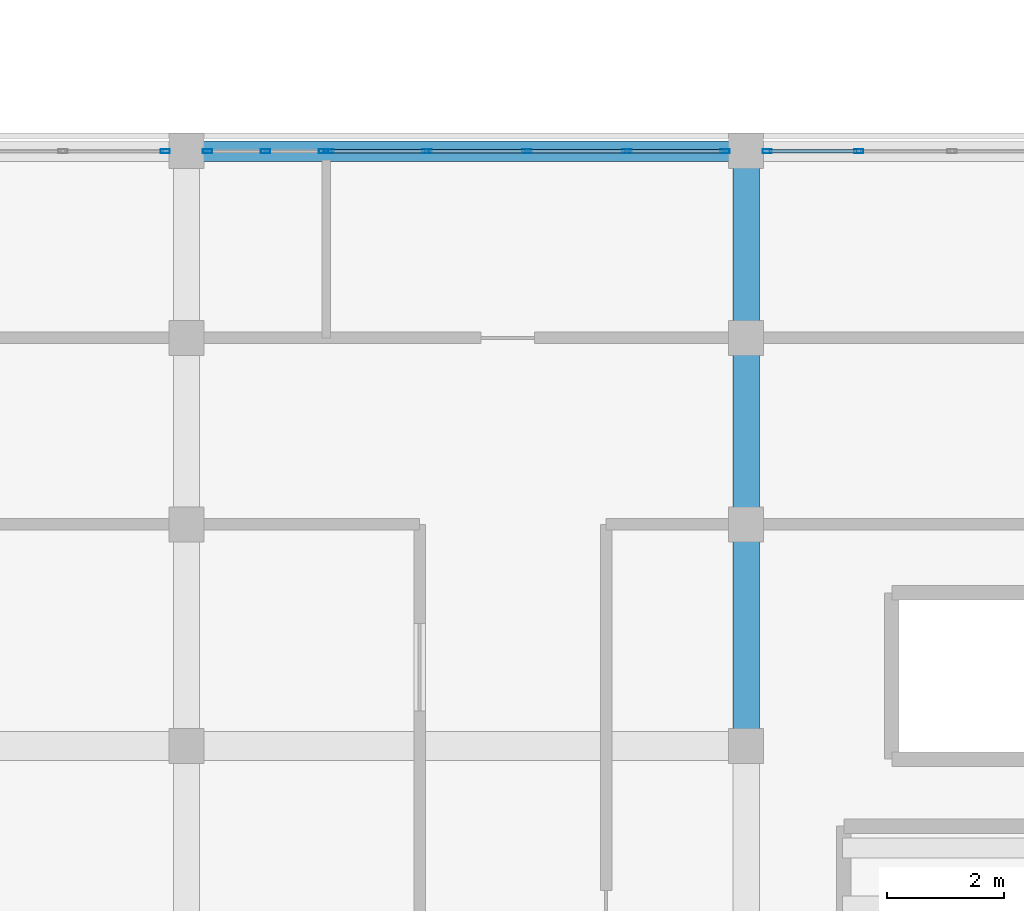
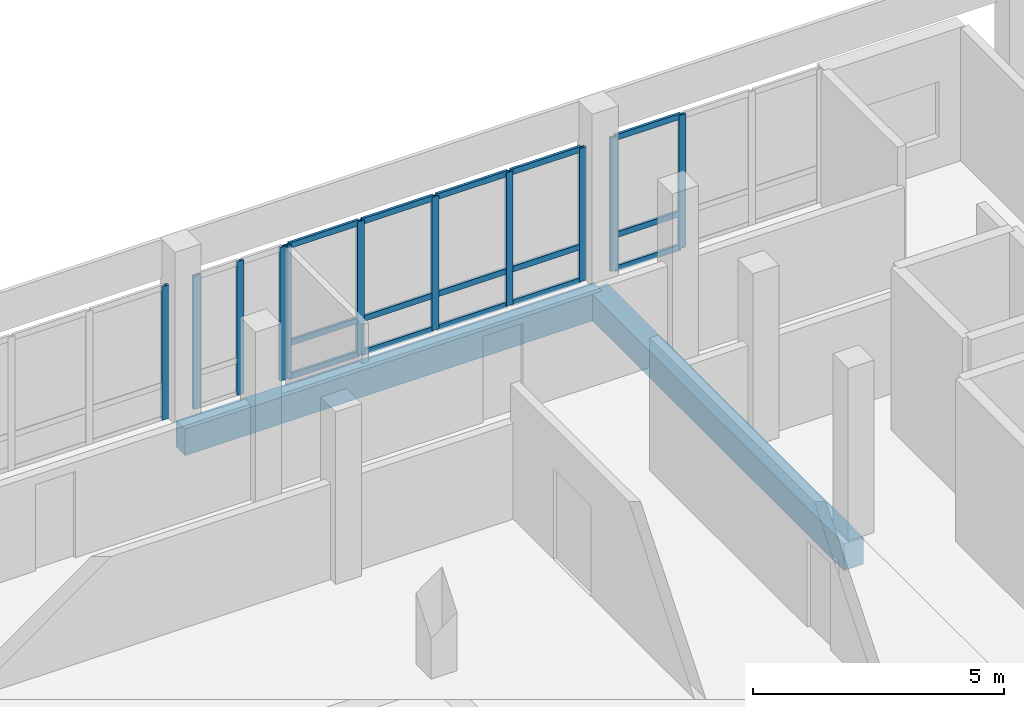
# One storey, part 100 of 185: 26 members, 2 beams, 4 elements without a shape of their own.
"""IFC4 building model written with IfcOpenShell, lengths in metres."""

from ifc_helpers import new_model, si_unit, direction, frame, origin, origin_2d, place, context, subcontext, project, spatial, rectangle, hollow_rectangle, extrude, material, material_profile, profile_set, type_object, element, aggregate, save


model = new_model("IFC4")

# Units and contexts
model_context = context("Model", 3, precision=1e-05, world=origin(), true_north=direction((0.0, 1.0)))
body_context = subcontext(model_context, "Body", "Model", "MODEL_VIEW")
ifc_project = project(units=[si_unit("LENGTHUNIT", "METRE"), si_unit("AREAUNIT", "SQUARE_METRE"), si_unit("VOLUMEUNIT", "CUBIC_METRE"), si_unit("PLANEANGLEUNIT", "RADIAN"), si_unit("MASSUNIT", "GRAM", prefix="KILO")], contexts=[model_context])

# Site, building, storey
site_placement = place(None, origin())
site = spatial("IfcSite", under=ifc_project, at=site_placement, CompositionType="ELEMENT")
building_placement = place(site_placement, origin())
building = spatial("IfcBuilding", under=site, at=building_placement, Name="Vondelvale Polytechnic", CompositionType="ELEMENT")
storey_placement = place(building_placement, frame((0.0, 0.0, 9.60009765625)))
storey = spatial("IfcBuildingStorey", under=building, at=storey_placement, Name="L02", CompositionType="ELEMENT", Elevation=9.60009765625)

# Beam
ifc_material_1 = material(Name="Concrete N40 (f'c = 40 MPa)", Category="concrete")
ifc_material_profile_1 = material_profile(ifc_material_1, rectangle(XDim=0.449951171875, YDim=0.64990234375, at=origin_2d()), Name="RC-BM-450x650")
ifc_profile_set_1 = profile_set([ifc_material_profile_1], Name="Concrete N40 (f'c = 40 MPa)")
beam_type_1 = type_object("IfcBeamType", Name="BM-RC450x650", PredefinedType="BEAM", material=ifc_profile_set_1)
beam_1_placement = place(storey_placement, frame((153.60009765625, 20.39990234375, -0.60498046875), z_axis=(0.0, 1.0, 0.0), x_axis=(-1.0, 0.0, 0.0)))
element("IfcBeam", 1, at=beam_1_placement, inside=storey, type_object=beam_type_1, Name="L02 B B-04", PredefinedType="BEAM", context=body_context, shape_type="SweptSolid", body=[
    extrude(rectangle(XDim=0.449951171875, YDim=0.64990234375, at=origin_2d()), origin(), (0.0, 0.0, 1.0), 10.2001953125),
])

# Curtain wall, member
ifc_material_2 = material(Name="Anodised extruded aluminium 6063-T6", Category="aluminium")
curtain_wall_type = type_object("IfcCurtainWallType", Name="CW-STUDIO-NORTH", PredefinedType="NOTDEFINED", material=ifc_material_2)
curtain_wall_1_placement = place(storey_placement, origin())
curtain_wall_1 = element("IfcCurtainWall", 2, at=curtain_wall_1_placement, inside=storey, type_object=curtain_wall_type, Name="L02 architectural curtain wall CW-01-063", PredefinedType="NOTDEFINED")
ifc_material_profile_2 = material_profile(ifc_material_2, hollow_rectangle(XDim=0.06494140625, YDim=0.159912109375, WallThickness=0.0048828125, at=origin_2d()), Name="CW-MUL-160x65")
ifc_profile_set_2 = profile_set([ifc_material_profile_2], Name="Anodised extruded aluminium 6063-T6")
member_type_1 = type_object("IfcMemberType", Name="CW-MUL-65x160", PredefinedType="MULLION", material=ifc_profile_set_2)
member_1_placement = place(storey_placement, frame((143.637451171875, 30.60009765625, 0.0), z_axis=(0.0, 0.0, 1.0), x_axis=(0.0, 1.0, 0.0)))
member_1 = element("IfcMember", 3, at=member_1_placement, type_object=member_type_1, Name="CW-01-063 mullion 6", PredefinedType="MULLION", context=body_context, shape_type="SweptSolid", body=[
    extrude(hollow_rectangle(XDim=0.06494140625, YDim=0.159912109375, WallThickness=0.0048828125, at=origin_2d()), origin(), (0.0, 0.0, 1.0), 3.25),
])
aggregate(curtain_wall_1, [member_1])

# Curtain wall, members
curtain_wall_2_placement = place(storey_placement, origin())
curtain_wall_2 = element("IfcCurtainWall", 4, at=curtain_wall_2_placement, inside=storey, type_object=curtain_wall_type, Name="L02 architectural curtain wall CW-01-064", PredefinedType="NOTDEFINED")
member_2_placement = place(storey_placement, frame((144.362548828125, 30.60009765625, 0.0), z_axis=(0.0, 0.0, 1.0), x_axis=(0.0, 1.0, 0.0)))
member_2 = element("IfcMember", 5, at=member_2_placement, type_object=member_type_1, Name="CW-01-064 mullion 1", PredefinedType="MULLION", context=body_context, shape_type="SweptSolid", body=[
    extrude(hollow_rectangle(XDim=0.06494140625, YDim=0.159912109375, WallThickness=0.0048828125, at=origin_2d()), origin(), (0.0, 0.0, 1.0), 3.25),
])
member_3_placement = place(storey_placement, frame((145.357421875, 30.60009765625, 0.0), z_axis=(0.0, 0.0, 1.0), x_axis=(0.0, 1.0, 0.0)))
member_3 = element("IfcMember", 6, at=member_3_placement, type_object=member_type_1, Name="CW-01-064 mullion 2", PredefinedType="MULLION", context=body_context, shape_type="SweptSolid", body=[
    extrude(hollow_rectangle(XDim=0.06494140625, YDim=0.159912109375, WallThickness=0.0048828125, at=origin_2d()), origin(), (0.0, 0.0, 1.0), 3.25),
])
member_4_placement = place(storey_placement, frame((146.3525390625, 30.60009765625, 0.0), z_axis=(0.0, 0.0, 1.0), x_axis=(0.0, 1.0, 0.0)))
member_4 = element("IfcMember", 7, at=member_4_placement, type_object=member_type_1, Name="CW-01-064 mullion 3", PredefinedType="MULLION", context=body_context, shape_type="SweptSolid", body=[
    extrude(hollow_rectangle(XDim=0.06494140625, YDim=0.159912109375, WallThickness=0.0048828125, at=origin_2d()), origin(), (0.0, 0.0, 1.0), 3.25),
])
aggregate(curtain_wall_2, [member_2, member_3, member_4])

curtain_wall_3_placement = place(storey_placement, origin())
curtain_wall_3 = element("IfcCurtainWall", 8, at=curtain_wall_3_placement, inside=storey, type_object=curtain_wall_type, Name="L02 architectural curtain wall CW-01-065", PredefinedType="NOTDEFINED")
member_5_placement = place(storey_placement, frame((146.447509765625, 30.60009765625, 0.0), z_axis=(0.0, 0.0, 1.0), x_axis=(0.0, 1.0, 0.0)))
member_5 = element("IfcMember", 9, at=member_5_placement, type_object=member_type_1, Name="CW-01-065 mullion 1", PredefinedType="MULLION", context=body_context, shape_type="SweptSolid", body=[
    extrude(hollow_rectangle(XDim=0.06494140625, YDim=0.159912109375, WallThickness=0.0048828125, at=origin_2d()), origin(), (0.0, 0.0, 1.0), 3.25),
])
member_6_placement = place(storey_placement, frame((148.128662109375, 30.60009765625, 0.0), z_axis=(0.0, 0.0, 1.0), x_axis=(0.0, 1.0, 0.0)))
member_6 = element("IfcMember", 10, at=member_6_placement, type_object=member_type_1, Name="CW-01-065 mullion 2", PredefinedType="MULLION", context=body_context, shape_type="SweptSolid", body=[
    extrude(hollow_rectangle(XDim=0.06494140625, YDim=0.159912109375, WallThickness=0.0048828125, at=origin_2d()), origin(), (0.0, 0.0, 1.0), 3.25),
])
member_7_placement = place(storey_placement, frame((149.842529296875, 30.60009765625, 0.0), z_axis=(0.0, 0.0, 1.0), x_axis=(0.0, 1.0, 0.0)))
member_7 = element("IfcMember", 11, at=member_7_placement, type_object=member_type_1, Name="CW-01-065 mullion 3", PredefinedType="MULLION", context=body_context, shape_type="SweptSolid", body=[
    extrude(hollow_rectangle(XDim=0.06494140625, YDim=0.159912109375, WallThickness=0.0048828125, at=origin_2d()), origin(), (0.0, 0.0, 1.0), 3.25),
])
member_8_placement = place(storey_placement, frame((151.55615234375, 30.60009765625, 0.0), z_axis=(0.0, 0.0, 1.0), x_axis=(0.0, 1.0, 0.0)))
member_8 = element("IfcMember", 12, at=member_8_placement, type_object=member_type_1, Name="CW-01-065 mullion 4", PredefinedType="MULLION", context=body_context, shape_type="SweptSolid", body=[
    extrude(hollow_rectangle(XDim=0.06494140625, YDim=0.159912109375, WallThickness=0.0048828125, at=origin_2d()), origin(), (0.0, 0.0, 1.0), 3.25),
])
member_9_placement = place(storey_placement, frame((153.237548828125, 30.60009765625, 0.0), z_axis=(0.0, 0.0, 1.0), x_axis=(0.0, 1.0, 0.0)))
member_9 = element("IfcMember", 13, at=member_9_placement, type_object=member_type_1, Name="CW-01-065 mullion 5", PredefinedType="MULLION", context=body_context, shape_type="SweptSolid", body=[
    extrude(hollow_rectangle(XDim=0.06494140625, YDim=0.159912109375, WallThickness=0.0048828125, at=origin_2d()), origin(), (0.0, 0.0, 1.0), 3.25),
])

curtain_wall_4_placement = place(storey_placement, origin())
curtain_wall_4 = element("IfcCurtainWall", 14, at=curtain_wall_4_placement, inside=storey, type_object=curtain_wall_type, Name="L02 architectural curtain wall CW-01-066", PredefinedType="NOTDEFINED")
member_10_placement = place(storey_placement, frame((153.96240234375, 30.60009765625, 0.0), z_axis=(0.0, 0.0, 1.0), x_axis=(0.0, 1.0, 0.0)))
member_10 = element("IfcMember", 15, at=member_10_placement, type_object=member_type_1, Name="CW-01-066 mullion 1", PredefinedType="MULLION", context=body_context, shape_type="SweptSolid", body=[
    extrude(hollow_rectangle(XDim=0.06494140625, YDim=0.159912109375, WallThickness=0.0048828125, at=origin_2d()), origin(), (0.0, 0.0, 1.0), 3.25),
])
member_11_placement = place(storey_placement, frame((155.53173828125, 30.60009765625, 0.0), z_axis=(0.0, 0.0, 1.0), x_axis=(0.0, 1.0, 0.0)))
member_11 = element("IfcMember", 16, at=member_11_placement, type_object=member_type_1, Name="CW-01-066 mullion 2", PredefinedType="MULLION", context=body_context, shape_type="SweptSolid", body=[
    extrude(hollow_rectangle(XDim=0.06494140625, YDim=0.159912109375, WallThickness=0.0048828125, at=origin_2d()), origin(), (0.0, 0.0, 1.0), 3.25),
])

# Member
ifc_material_profile_3 = material_profile(ifc_material_2, hollow_rectangle(XDim=0.06005859375, YDim=0.139892578125, WallThickness=0.00341796875, at=origin_2d()), Name="CW-TRN-140x60")
ifc_profile_set_3 = profile_set([ifc_material_profile_3], Name="Anodised extruded aluminium 6063-T6")
member_type_2 = type_object("IfcMemberType", Name="CW-TRN-60x140", PredefinedType="USERDEFINED", material=ifc_profile_set_3)
member_12_placement = place(storey_placement, frame((146.47998046875, 30.60009765625, 0.02978515625), z_axis=(1.0, 0.0, 0.0), x_axis=(0.0, 1.0, 0.0)))
member_12 = element("IfcMember", 17, at=member_12_placement, type_object=member_type_2, Name="CW-01-065 transom 1.1", ObjectType="TRANSOM", PredefinedType="USERDEFINED", context=body_context, shape_type="SweptSolid", body=[
    extrude(hollow_rectangle(XDim=0.06005859375, YDim=0.139892578125, WallThickness=0.00341796875, at=origin_2d()), origin(), (0.0, 0.0, 1.0), 1.6162109375),
])

member_13_placement = place(storey_placement, frame((146.47998046875, 30.60009765625, 0.849853515625), z_axis=(1.0, 0.0, 0.0), x_axis=(0.0, 1.0, 0.0)))
member_13 = element("IfcMember", 18, at=member_13_placement, type_object=member_type_2, Name="CW-01-065 transom 1.2", ObjectType="TRANSOM", PredefinedType="USERDEFINED", context=body_context, shape_type="SweptSolid", body=[
    extrude(hollow_rectangle(XDim=0.06005859375, YDim=0.139892578125, WallThickness=0.00341796875, at=origin_2d()), origin(), (0.0, 0.0, 1.0), 1.6162109375),
])

member_14_placement = place(storey_placement, frame((146.47998046875, 30.60009765625, 3.219970703125), z_axis=(1.0, 0.0, 0.0), x_axis=(0.0, 1.0, 0.0)))
member_14 = element("IfcMember", 19, at=member_14_placement, type_object=member_type_2, Name="CW-01-065 transom 1.3", ObjectType="TRANSOM", PredefinedType="USERDEFINED", context=body_context, shape_type="SweptSolid", body=[
    extrude(hollow_rectangle(XDim=0.06005859375, YDim=0.139892578125, WallThickness=0.00341796875, at=origin_2d()), origin(), (0.0, 0.0, 1.0), 1.6162109375),
])

member_15_placement = place(storey_placement, frame((148.1611328125, 30.60009765625, 0.02978515625), z_axis=(1.0, 0.0, 0.0), x_axis=(0.0, 1.0, 0.0)))
member_15 = element("IfcMember", 20, at=member_15_placement, type_object=member_type_2, Name="CW-01-065 transom 2.1", ObjectType="TRANSOM", PredefinedType="USERDEFINED", context=body_context, shape_type="SweptSolid", body=[
    extrude(hollow_rectangle(XDim=0.06005859375, YDim=0.139892578125, WallThickness=0.00341796875, at=origin_2d()), origin(), (0.0, 0.0, 1.0), 1.64892578125),
])

member_16_placement = place(storey_placement, frame((148.1611328125, 30.60009765625, 0.849853515625), z_axis=(1.0, 0.0, 0.0), x_axis=(0.0, 1.0, 0.0)))
member_16 = element("IfcMember", 21, at=member_16_placement, type_object=member_type_2, Name="CW-01-065 transom 2.2", ObjectType="TRANSOM", PredefinedType="USERDEFINED", context=body_context, shape_type="SweptSolid", body=[
    extrude(hollow_rectangle(XDim=0.06005859375, YDim=0.139892578125, WallThickness=0.00341796875, at=origin_2d()), origin(), (0.0, 0.0, 1.0), 1.64892578125),
])

member_17_placement = place(storey_placement, frame((148.1611328125, 30.60009765625, 3.219970703125), z_axis=(1.0, 0.0, 0.0), x_axis=(0.0, 1.0, 0.0)))
member_17 = element("IfcMember", 22, at=member_17_placement, type_object=member_type_2, Name="CW-01-065 transom 2.3", ObjectType="TRANSOM", PredefinedType="USERDEFINED", context=body_context, shape_type="SweptSolid", body=[
    extrude(hollow_rectangle(XDim=0.06005859375, YDim=0.139892578125, WallThickness=0.00341796875, at=origin_2d()), origin(), (0.0, 0.0, 1.0), 1.64892578125),
])

member_18_placement = place(storey_placement, frame((149.875, 30.60009765625, 0.02978515625), z_axis=(1.0, 0.0, 0.0), x_axis=(0.0, 1.0, 0.0)))
member_18 = element("IfcMember", 23, at=member_18_placement, type_object=member_type_2, Name="CW-01-065 transom 3.1", ObjectType="TRANSOM", PredefinedType="USERDEFINED", context=body_context, shape_type="SweptSolid", body=[
    extrude(hollow_rectangle(XDim=0.06005859375, YDim=0.139892578125, WallThickness=0.00341796875, at=origin_2d()), origin(), (0.0, 0.0, 1.0), 1.648681640625),
])

member_19_placement = place(storey_placement, frame((149.875, 30.60009765625, 0.849853515625), z_axis=(1.0, 0.0, 0.0), x_axis=(0.0, 1.0, 0.0)))
member_19 = element("IfcMember", 24, at=member_19_placement, type_object=member_type_2, Name="CW-01-065 transom 3.2", ObjectType="TRANSOM", PredefinedType="USERDEFINED", context=body_context, shape_type="SweptSolid", body=[
    extrude(hollow_rectangle(XDim=0.06005859375, YDim=0.139892578125, WallThickness=0.00341796875, at=origin_2d()), origin(), (0.0, 0.0, 1.0), 1.648681640625),
])

member_20_placement = place(storey_placement, frame((149.875, 30.60009765625, 3.219970703125), z_axis=(1.0, 0.0, 0.0), x_axis=(0.0, 1.0, 0.0)))
member_20 = element("IfcMember", 25, at=member_20_placement, type_object=member_type_2, Name="CW-01-065 transom 3.3", ObjectType="TRANSOM", PredefinedType="USERDEFINED", context=body_context, shape_type="SweptSolid", body=[
    extrude(hollow_rectangle(XDim=0.06005859375, YDim=0.139892578125, WallThickness=0.00341796875, at=origin_2d()), origin(), (0.0, 0.0, 1.0), 1.648681640625),
])

member_21_placement = place(storey_placement, frame((151.5888671875, 30.60009765625, 0.02978515625), z_axis=(1.0, 0.0, 0.0), x_axis=(0.0, 1.0, 0.0)))
member_21 = element("IfcMember", 26, at=member_21_placement, type_object=member_type_2, Name="CW-01-065 transom 4.1", ObjectType="TRANSOM", PredefinedType="USERDEFINED", context=body_context, shape_type="SweptSolid", body=[
    extrude(hollow_rectangle(XDim=0.06005859375, YDim=0.139892578125, WallThickness=0.00341796875, at=origin_2d()), origin(), (0.0, 0.0, 1.0), 1.6162109375),
])

member_22_placement = place(storey_placement, frame((151.5888671875, 30.60009765625, 0.849853515625), z_axis=(1.0, 0.0, 0.0), x_axis=(0.0, 1.0, 0.0)))
member_22 = element("IfcMember", 27, at=member_22_placement, type_object=member_type_2, Name="CW-01-065 transom 4.2", ObjectType="TRANSOM", PredefinedType="USERDEFINED", context=body_context, shape_type="SweptSolid", body=[
    extrude(hollow_rectangle(XDim=0.06005859375, YDim=0.139892578125, WallThickness=0.00341796875, at=origin_2d()), origin(), (0.0, 0.0, 1.0), 1.6162109375),
])

member_23_placement = place(storey_placement, frame((151.5888671875, 30.60009765625, 3.219970703125), z_axis=(1.0, 0.0, 0.0), x_axis=(0.0, 1.0, 0.0)))
member_23 = element("IfcMember", 28, at=member_23_placement, type_object=member_type_2, Name="CW-01-065 transom 4.3", ObjectType="TRANSOM", PredefinedType="USERDEFINED", context=body_context, shape_type="SweptSolid", body=[
    extrude(hollow_rectangle(XDim=0.06005859375, YDim=0.139892578125, WallThickness=0.00341796875, at=origin_2d()), origin(), (0.0, 0.0, 1.0), 1.6162109375),
])

aggregate(curtain_wall_3, [member_5, member_6, member_7, member_8, member_9, member_12, member_13, member_14, member_15, member_16, member_17, member_18, member_19, member_20, member_21, member_22, member_23])

member_24_placement = place(storey_placement, frame((153.9951171875, 30.60009765625, 0.02978515625), z_axis=(1.0, 0.0, 0.0), x_axis=(0.0, 1.0, 0.0)))
member_24 = element("IfcMember", 29, at=member_24_placement, type_object=member_type_2, Name="CW-01-066 transom 1.1", ObjectType="TRANSOM", PredefinedType="USERDEFINED", context=body_context, shape_type="SweptSolid", body=[
    extrude(hollow_rectangle(XDim=0.06005859375, YDim=0.139892578125, WallThickness=0.00341796875, at=origin_2d()), origin(), (0.0, 0.0, 1.0), 1.504150390625),
])

member_25_placement = place(storey_placement, frame((153.9951171875, 30.60009765625, 0.849853515625), z_axis=(1.0, 0.0, 0.0), x_axis=(0.0, 1.0, 0.0)))
member_25 = element("IfcMember", 30, at=member_25_placement, type_object=member_type_2, Name="CW-01-066 transom 1.2", ObjectType="TRANSOM", PredefinedType="USERDEFINED", context=body_context, shape_type="SweptSolid", body=[
    extrude(hollow_rectangle(XDim=0.06005859375, YDim=0.139892578125, WallThickness=0.00341796875, at=origin_2d()), origin(), (0.0, 0.0, 1.0), 1.504150390625),
])

member_26_placement = place(storey_placement, frame((153.9951171875, 30.60009765625, 3.219970703125), z_axis=(1.0, 0.0, 0.0), x_axis=(0.0, 1.0, 0.0)))
member_26 = element("IfcMember", 31, at=member_26_placement, type_object=member_type_2, Name="CW-01-066 transom 1.3", ObjectType="TRANSOM", PredefinedType="USERDEFINED", context=body_context, shape_type="SweptSolid", body=[
    extrude(hollow_rectangle(XDim=0.06005859375, YDim=0.139892578125, WallThickness=0.00341796875, at=origin_2d()), origin(), (0.0, 0.0, 1.0), 1.504150390625),
])

aggregate(curtain_wall_4, [member_10, member_11, member_24, member_25, member_26])

# Beam
ifc_material_3 = material(Name="Precast concrete N40 (f'c = 40 MPa)", Category="concrete")
ifc_material_profile_4 = material_profile(ifc_material_3, rectangle(XDim=0.35009765625, YDim=0.64990234375, at=origin_2d()), Name="RC-SPN-350x650")
ifc_profile_set_4 = profile_set([ifc_material_profile_4], Name="Precast concrete N40 (f'c = 40 MPa)")
beam_type_2 = type_object("IfcBeamType", Name="SPN-PRE350x650", PredefinedType="SPANDREL", material=ifc_profile_set_4)
beam_2_placement = place(storey_placement, frame((144.0, 30.60009765625, -0.60498046875), z_axis=(1.0, 0.0, 0.0), x_axis=(0.0, 1.0, 0.0)))
element("IfcBeam", 32, at=beam_2_placement, inside=storey, type_object=beam_type_2, Name="L02 B SP-02", PredefinedType="SPANDREL", context=body_context, shape_type="SweptSolid", body=[
    extrude(rectangle(XDim=0.35009765625, YDim=0.64990234375, at=origin_2d()), origin(), (0.0, 0.0, 1.0), 9.60009765625),
])

save(model, "model.ifc")
